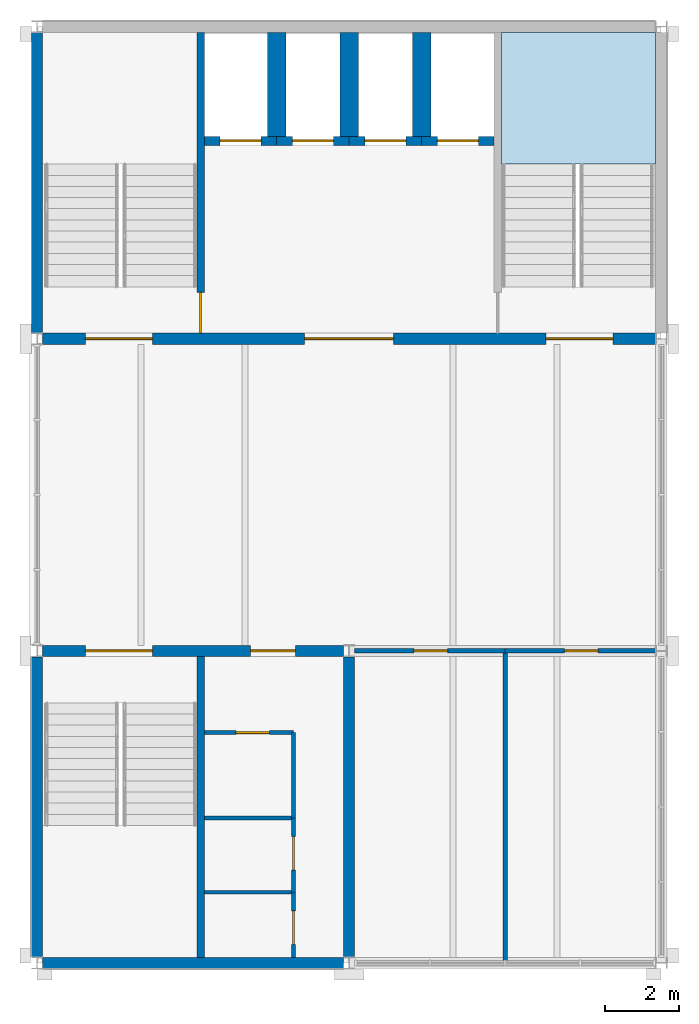
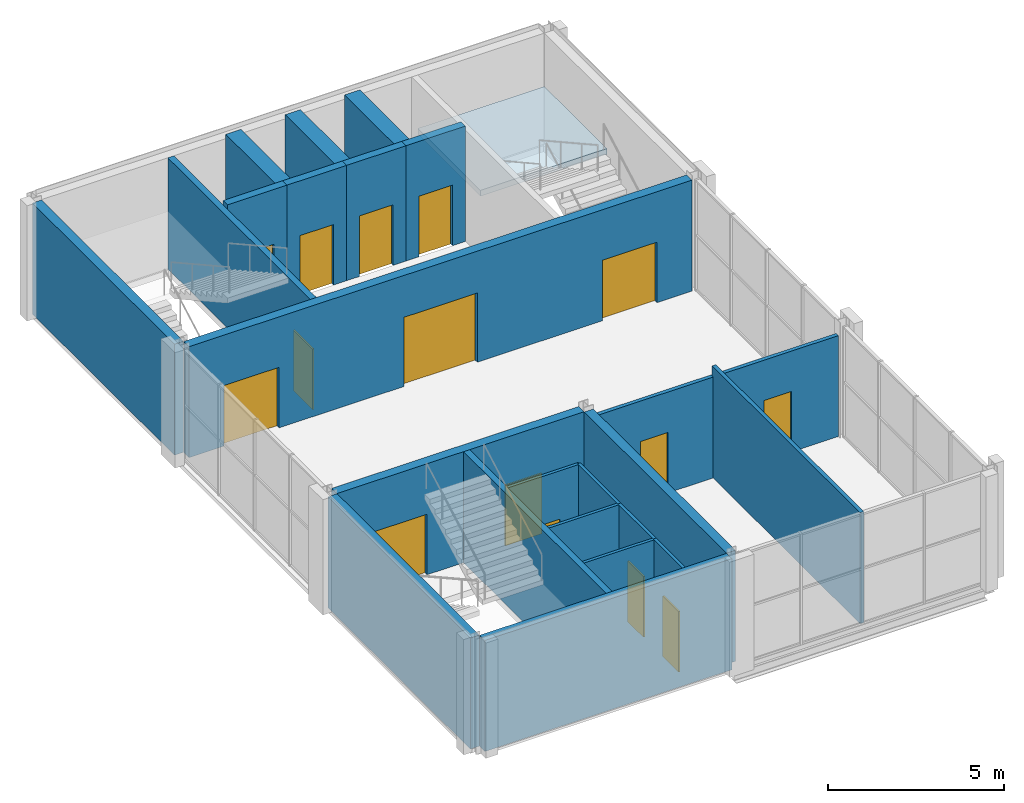
# One storey, part 3 of 5: 24 walls, 15 doors, 1 slab, 15 openings, 1 element without a shape of its own.
"""IFC4 building model written with IfcOpenShell, lengths in metres."""

from ifc_helpers import new_model, si_unit, direction, frame, frame_2d, origin, place, context, subcontext, project, spatial, polyline, rectangle, outline, extrude, material, layer, layer_set, type_object, element, fill, aggregate, save


model = new_model("IFC4")

# Units and contexts
model_context = context("Model", 3, precision=1e-05, world=origin(), true_north=direction((0.0, 1.0)))
body_context = subcontext(model_context, "Body", "Model", "MODEL_VIEW")
ifc_project = project(units=[si_unit("LENGTHUNIT", "METRE"), si_unit("AREAUNIT", "SQUARE_METRE"), si_unit("VOLUMEUNIT", "CUBIC_METRE"), si_unit("PLANEANGLEUNIT", "RADIAN"), si_unit("MASSUNIT", "GRAM", prefix="KILO")], contexts=[model_context])

# Site, building, storey
site_placement = place(None, origin())
site = spatial("IfcSite", under=ifc_project, at=site_placement, CompositionType="ELEMENT")
building_placement = place(site_placement, origin())
building = spatial("IfcBuilding", under=site, at=building_placement, Name="Galleria Vessillo Department Store", CompositionType="ELEMENT")
storey_placement = place(building_placement, frame((0.0, 0.0, 63.60009765625)))
storey = spatial("IfcBuildingStorey", under=building, at=storey_placement, Name="L14", CompositionType="ELEMENT", Elevation=63.60009765625)

# Stair, slab
ifc_material_1 = material(Name="Concrete C32/40", Category="concrete")
stair_type = type_object("IfcStairType", Name="Half-turn escape stair 2000 mm, 24 risers of 167 mm", PredefinedType="HALF_TURN_STAIR", material=ifc_material_1)
stair_placement = place(storey_placement, origin())
stair = element("IfcStair", 1, at=stair_placement, inside=storey, type_object=stair_type, Name="Stair ST9 L14", PredefinedType="HALF_TURN_STAIR")
ifc_material_2 = material(Name="Concrete C32/40", Category="concrete")
ifc_layer_1 = layer(ifc_material_2, 0.199951171875)
ifc_layer_set_1 = layer_set([ifc_layer_1], Name="Concrete C32/40")
slab_type = type_object("IfcSlabType", Name="Stair half landing 4150 x 3550 mm", PredefinedType="LANDING", material=ifc_layer_set_1)
slab_placement = place(storey_placement, frame((0.0, 0.0, 1.800048828125)))
slab = element("IfcSlab", 2, at=slab_placement, type_object=slab_type, Name="ST9 landing 1", PredefinedType="LANDING", context=body_context, shape_type="SweptSolid", body=[
    extrude(outline(polyline([(113.300048828125, 59.300048828125), (113.300048828125, 62.85009765625), (117.4501953125, 62.85009765625), (117.4501953125, 59.300048828125), (113.300048828125, 59.300048828125)])), origin(), (0.0, 0.0, 1.0), 0.199951171875),
])
aggregate(stair, [slab])

# Walls
ifc_material_3 = material(Name="Solid clay block masonry", Category="masonry")
ifc_layer_2 = layer(ifc_material_3, 0.5)
ifc_layer_set_2 = layer_set([ifc_layer_2], Name="Solid clay block masonry")
wall_type_1 = type_object("IfcWallType", Name="Lift shaft partition wall 500 mm", PredefinedType="SOLIDWALL", material=ifc_layer_set_2)
for number, where, z_axis, x_axis, name in (
    (3, (107.25, 62.85009765625, 0.0), (0.0, 0.0, 1.0), (0.0, -1.0, 0.0), "Lift shaft partition wall T1 L14"),
    (4, (109.199951171875, 62.85009765625, 0.0), (0.0, 0.0, 1.0), (0.0, -1.0, 0.0), "Lift shaft partition wall T2 L14"),
    (5, (111.14990234375, 62.85009765625, 0.0), (0.0, 0.0, 1.0), (0.0, -1.0, 0.0), "Lift shaft partition wall T3 L14"),
):
    element("IfcWall", number, at=place(storey_placement, frame(where, z_axis=z_axis, x_axis=x_axis)), inside=storey, type_object=wall_type_1, Name=name, PredefinedType="SOLIDWALL", context=body_context, shape_type="SweptSolid", body=[
        extrude(rectangle(XDim=2.800048828125, YDim=0.5, at=frame_2d((1.39990234375, 0.0))), origin(), (0.0, 0.0, 1.0), 4.0),
    ])

# Wall, opening, door
ifc_material_4 = material(Name="Solid clay block masonry", Category="masonry")
ifc_layer_3 = layer(ifc_material_4, 0.25)
ifc_layer_set_3 = layer_set([ifc_layer_3], Name="Solid clay block masonry")
wall_type_2 = type_object("IfcWallType", Name="Lift shaft wall 250 mm", PredefinedType="SOLIDWALL", material=ifc_layer_set_3)
wall_1_placement = place(storey_placement, frame((105.300048828125, 59.925048828125, 0.0), z_axis=(0.0, 0.0, 1.0), x_axis=(1.0, 0.0, 0.0)))
wall_1 = element("IfcWall", 6, at=wall_1_placement, inside=storey, type_object=wall_type_2, Name="Lift shaft wall T1 landing side L14", PredefinedType="SOLIDWALL", context=body_context, shape_type="SweptSolid", body=[
    extrude(rectangle(XDim=1.949951171875, YDim=0.25, at=frame_2d((0.97509765625, 0.0))), origin(), (0.0, 0.0, 1.0), 4.0),
])
opening_1_placement = place(wall_1_placement, frame((0.4248046875, 0.0, 0.0)))
opening_1 = element("IfcOpeningElement", 7, at=opening_1_placement, cuts=wall_1, Name="Opening LD129", PredefinedType="OPENING", context=body_context, shape_type="SweptSolid", body=[
    extrude(rectangle(XDim=1.10009765625, YDim=2.10009765625, at=frame_2d((0.550048828125, 1.050048828125))), frame((0.0, 0.135009765625, 0.0), z_axis=(0.0, -1.0, 0.0), x_axis=(1.0, 0.0, 0.0)), (0.0, 0.0, 1.0), 0.27001953125),
])
ifc_material_5 = material(Name="Stainless steel lift door panel", Category="steel")
door_type_1 = type_object("IfcDoorType", Name="Lift landing door LD110 sliding 1100 x 2100", OperationType="SLIDING_TO_LEFT", PredefinedType="DOOR", material=ifc_material_5)
door_1_placement = place(opening_1_placement, frame((1.10009765625, 0.0, 0.0), z_axis=(0.0, 0.0, 1.0), x_axis=(-1.0, 0.0, 0.0)))
door_1 = element("IfcDoor", 8, at=door_1_placement, inside=storey, type_object=door_type_1, Name="Lift landing door T1 L14", OperationType="SLIDING_TO_RIGHT", OverallHeight=2.10009765625, OverallWidth=1.10009765625, PredefinedType="DOOR", context=body_context, shape_type="SweptSolid", body=[
    extrude(rectangle(XDim=1.10009765625, YDim=2.10009765625, at=frame_2d((0.550048828125, 1.050048828125))), frame((0.0, 0.02490234375, 0.0), z_axis=(0.0, -1.0, 0.0), x_axis=(1.0, 0.0, 0.0)), (0.0, 0.0, 1.0), 0.050048828125),
])
fill(opening_1, door_1)

wall_2_placement = place(storey_placement, frame((107.25, 59.925048828125, 0.0), z_axis=(0.0, 0.0, 1.0), x_axis=(1.0, 0.0, 0.0)))
wall_2 = element("IfcWall", 9, at=wall_2_placement, inside=storey, type_object=wall_type_2, Name="Lift shaft wall T2 landing side L14", PredefinedType="SOLIDWALL", context=body_context, shape_type="SweptSolid", body=[
    extrude(rectangle(XDim=1.949951171875, YDim=0.25, at=frame_2d((0.97509765625, 0.0))), origin(), (0.0, 0.0, 1.0), 4.0),
])
opening_2_placement = place(wall_2_placement, frame((0.425048828125, 0.0, 0.0)))
opening_2 = element("IfcOpeningElement", 10, at=opening_2_placement, cuts=wall_2, Name="Opening LD130", PredefinedType="OPENING", context=body_context, shape_type="SweptSolid", body=[
    extrude(rectangle(XDim=1.10009765625, YDim=2.10009765625, at=frame_2d((0.550048828125, 1.050048828125))), frame((0.0, 0.135009765625, 0.0), z_axis=(0.0, -1.0, 0.0), x_axis=(1.0, 0.0, 0.0)), (0.0, 0.0, 1.0), 0.27001953125),
])
door_2_placement = place(opening_2_placement, frame((1.10009765625, 0.0, 0.0), z_axis=(0.0, 0.0, 1.0), x_axis=(-1.0, 0.0, 0.0)))
door_2 = element("IfcDoor", 11, at=door_2_placement, inside=storey, type_object=door_type_1, Name="Lift landing door T2 L14", OperationType="SLIDING_TO_RIGHT", OverallHeight=2.10009765625, OverallWidth=1.10009765625, PredefinedType="DOOR", context=body_context, shape_type="SweptSolid", body=[
    extrude(rectangle(XDim=1.10009765625, YDim=2.10009765625, at=frame_2d((0.550048828125, 1.050048828125))), frame((0.0, 0.02490234375, 0.0), z_axis=(0.0, -1.0, 0.0), x_axis=(1.0, 0.0, 0.0)), (0.0, 0.0, 1.0), 0.050048828125),
])
fill(opening_2, door_2)

wall_3_placement = place(storey_placement, frame((109.199951171875, 59.925048828125, 0.0), z_axis=(0.0, 0.0, 1.0), x_axis=(1.0, 0.0, 0.0)))
wall_3 = element("IfcWall", 12, at=wall_3_placement, inside=storey, type_object=wall_type_2, Name="Lift shaft wall T3 landing side L14", PredefinedType="SOLIDWALL", context=body_context, shape_type="SweptSolid", body=[
    extrude(rectangle(XDim=1.949951171875, YDim=0.25, at=frame_2d((0.97509765625, 0.0))), origin(), (0.0, 0.0, 1.0), 4.0),
])
opening_3_placement = place(wall_3_placement, frame((0.425048828125, 0.0, 0.0)))
opening_3 = element("IfcOpeningElement", 13, at=opening_3_placement, cuts=wall_3, Name="Opening LD131", PredefinedType="OPENING", context=body_context, shape_type="SweptSolid", body=[
    extrude(rectangle(XDim=1.10009765625, YDim=2.10009765625, at=frame_2d((0.550048828125, 1.050048828125))), frame((0.0, 0.135009765625, 0.0), z_axis=(0.0, -1.0, 0.0), x_axis=(1.0, 0.0, 0.0)), (0.0, 0.0, 1.0), 0.27001953125),
])
door_3_placement = place(opening_3_placement, frame((1.10009765625, 0.0, 0.0), z_axis=(0.0, 0.0, 1.0), x_axis=(-1.0, 0.0, 0.0)))
door_3 = element("IfcDoor", 14, at=door_3_placement, inside=storey, type_object=door_type_1, Name="Lift landing door T3 L14", OperationType="SLIDING_TO_RIGHT", OverallHeight=2.10009765625, OverallWidth=1.10009765625, PredefinedType="DOOR", context=body_context, shape_type="SweptSolid", body=[
    extrude(rectangle(XDim=1.10009765625, YDim=2.10009765625, at=frame_2d((0.550048828125, 1.050048828125))), frame((0.0, 0.02490234375, 0.0), z_axis=(0.0, -1.0, 0.0), x_axis=(1.0, 0.0, 0.0)), (0.0, 0.0, 1.0), 0.050048828125),
])
fill(opening_3, door_3)

wall_4_placement = place(storey_placement, frame((111.14990234375, 59.925048828125, 0.0), z_axis=(0.0, 0.0, 1.0), x_axis=(1.0, 0.0, 0.0)))
wall_4 = element("IfcWall", 15, at=wall_4_placement, inside=storey, type_object=wall_type_2, Name="Lift shaft wall T4 landing side L14", PredefinedType="SOLIDWALL", context=body_context, shape_type="SweptSolid", body=[
    extrude(rectangle(XDim=1.9501953125, YDim=0.25, at=frame_2d((0.97509765625, 0.0))), origin(), (0.0, 0.0, 1.0), 4.0),
])
opening_4_placement = place(wall_4_placement, frame((0.425048828125, 0.0, 0.0)))
opening_4 = element("IfcOpeningElement", 16, at=opening_4_placement, cuts=wall_4, Name="Opening LD132", PredefinedType="OPENING", context=body_context, shape_type="SweptSolid", body=[
    extrude(rectangle(XDim=1.10009765625, YDim=2.10009765625, at=frame_2d((0.550048828125, 1.050048828125))), frame((0.0, 0.135009765625, 0.0), z_axis=(0.0, -1.0, 0.0), x_axis=(1.0, 0.0, 0.0)), (0.0, 0.0, 1.0), 0.27001953125),
])
door_4_placement = place(opening_4_placement, frame((1.10009765625, 0.0, 0.0), z_axis=(0.0, 0.0, 1.0), x_axis=(-1.0, 0.0, 0.0)))
door_4 = element("IfcDoor", 17, at=door_4_placement, inside=storey, type_object=door_type_1, Name="Lift landing door T4 L14", OperationType="SLIDING_TO_LEFT", OverallHeight=2.10009765625, OverallWidth=1.10009765625, PredefinedType="DOOR", context=body_context, shape_type="SweptSolid", body=[
    extrude(rectangle(XDim=1.10009765625, YDim=2.10009765625, at=frame_2d((0.550048828125, 1.050048828125))), frame((0.0, 0.02490234375, 0.0), z_axis=(0.0, -1.0, 0.0), x_axis=(1.0, 0.0, 0.0)), (0.0, 0.0, 1.0), 0.050048828125),
])
fill(opening_4, door_4)

# Wall
ifc_material_6 = material(Name="Gypsum board partition")
ifc_layer_4 = layer(ifc_material_6, 0.125)
ifc_layer_set_4 = layer_set([ifc_layer_4], Name="Gypsum board partition")
wall_type_3 = type_object("IfcWallType", Name="Office partition 125 mm", PredefinedType="PARTITIONING", material=ifc_layer_set_4)
wall_5_placement = place(storey_placement, frame((113.39990234375, 37.800048828125, 0.0), z_axis=(0.0, 0.0, 1.0), x_axis=(0.0, 1.0, 0.0)))
element("IfcWall", 18, at=wall_5_placement, inside=storey, type_object=wall_type_3, Name="Partition wall PT2 on L14 no. 007", PredefinedType="PARTITIONING", context=body_context, shape_type="SweptSolid", body=[
    extrude(rectangle(XDim=8.39990234375, YDim=0.125, at=frame_2d((4.199951171875, 0.0))), origin(), (0.0, 0.0, 1.0), 3.85009765625),
])

# Wall, opening, door
wall_6_placement = place(storey_placement, frame((109.349853515625, 46.199951171875, 0.0), z_axis=(0.0, 0.0, 1.0), x_axis=(1.0, 0.0, 0.0)))
wall_6 = element("IfcWall", 19, at=wall_6_placement, inside=storey, type_object=wall_type_3, Name="Partition wall PT2 on L14 no. 008", PredefinedType="PARTITIONING", context=body_context, shape_type="SweptSolid", body=[
    extrude(rectangle(XDim=4.050048828125, YDim=0.125, at=frame_2d((2.02490234375, 0.0))), origin(), (0.0, 0.0, 1.0), 3.5),
])
opening_5_placement = place(wall_6_placement, frame((1.60009765625, 0.0, 0.0)))
opening_5 = element("IfcOpeningElement", 20, at=opening_5_placement, cuts=wall_6, Name="Opening D3604", PredefinedType="OPENING", context=body_context, shape_type="SweptSolid", body=[
    extrude(rectangle(XDim=0.89990234375, YDim=2.10009765625, at=frame_2d((0.449951171875, 1.050048828125))), frame((0.0, 0.072509765625, 0.0), z_axis=(0.0, -1.0, 0.0), x_axis=(1.0, 0.0, 0.0)), (0.0, 0.0, 1.0), 0.14501953125),
])
ifc_material_7 = material(Name="Timber and glass door leaf", Category="wood")
door_type_2 = type_object("IfcDoorType", Name="Floor door 900 single leaf", OperationType="SINGLE_SWING_LEFT", PredefinedType="DOOR", material=ifc_material_7)
door_5_placement = place(opening_5_placement, frame((0.89990234375, 0.0, 0.0), z_axis=(0.0, 0.0, 1.0), x_axis=(-1.0, 0.0, 0.0)))
door_5 = element("IfcDoor", 21, at=door_5_placement, inside=storey, type_object=door_type_2, Name="Door D3604", OperationType="SINGLE_SWING_RIGHT", OverallHeight=2.10009765625, OverallWidth=0.89990234375, PredefinedType="DOOR", context=body_context, shape_type="SweptSolid", body=[
    extrude(rectangle(XDim=0.89990234375, YDim=2.10009765625, at=frame_2d((0.449951171875, 1.050048828125))), frame((0.0, 0.02490234375, 0.0), z_axis=(0.0, -1.0, 0.0), x_axis=(1.0, 0.0, 0.0)), (0.0, 0.0, 1.0), 0.050048828125),
])
fill(opening_5, door_5)

wall_7_placement = place(storey_placement, frame((113.39990234375, 46.199951171875, 0.0), z_axis=(0.0, 0.0, 1.0), x_axis=(1.0, 0.0, 0.0)))
wall_7 = element("IfcWall", 22, at=wall_7_placement, inside=storey, type_object=wall_type_3, Name="Partition wall PT2 on L14 no. 009", PredefinedType="PARTITIONING", context=body_context, shape_type="SweptSolid", body=[
    extrude(rectangle(XDim=4.040283203125, YDim=0.125, at=frame_2d((2.02001953125, 0.0))), origin(), (0.0, 0.0, 1.0), 3.5),
])
opening_6_placement = place(wall_7_placement, frame((1.60009765625, 0.0, 0.0)))
opening_6 = element("IfcOpeningElement", 23, at=opening_6_placement, cuts=wall_7, Name="Opening D3605", PredefinedType="OPENING", context=body_context, shape_type="SweptSolid", body=[
    extrude(rectangle(XDim=0.89990234375, YDim=2.10009765625, at=frame_2d((0.449951171875, 1.050048828125))), frame((0.0, 0.072509765625, 0.0), z_axis=(0.0, -1.0, 0.0), x_axis=(1.0, 0.0, 0.0)), (0.0, 0.0, 1.0), 0.14501953125),
])
door_6_placement = place(opening_6_placement, frame((0.89990234375, 0.0, 0.0), z_axis=(0.0, 0.0, 1.0), x_axis=(-1.0, 0.0, 0.0)))
door_6 = element("IfcDoor", 24, at=door_6_placement, inside=storey, type_object=door_type_2, Name="Door D3605", OperationType="SINGLE_SWING_RIGHT", OverallHeight=2.10009765625, OverallWidth=0.89990234375, PredefinedType="DOOR", context=body_context, shape_type="SweptSolid", body=[
    extrude(rectangle(XDim=0.89990234375, YDim=2.10009765625, at=frame_2d((0.449951171875, 1.050048828125))), frame((0.0, 0.02490234375, 0.0), z_axis=(0.0, -1.0, 0.0), x_axis=(1.0, 0.0, 0.0)), (0.0, 0.0, 1.0), 0.050048828125),
])
fill(opening_6, door_6)

# Wall, openings, doors
ifc_material_8 = material(Name="Concrete C32/40 reinforced", Category="concrete")
ifc_layer_5 = layer(ifc_material_8, 0.300048828125)
ifc_layer_set_5 = layer_set([ifc_layer_5], Name="Concrete C32/40 reinforced")
wall_type_4 = type_object("IfcWallType", Name="Reinforced concrete core wall 300 mm", PredefinedType="SHEAR", material=ifc_layer_set_5)
wall_8_placement = place(storey_placement, frame((100.949951171875, 54.60009765625, 0.0), z_axis=(0.0, 0.0, 1.0), x_axis=(1.0, 0.0, 0.0)))
wall_8 = element("IfcWall", 25, at=wall_8_placement, inside=storey, type_object=wall_type_4, Name="S-CW-TC-INTERIOR-L14", PredefinedType="SHEAR", context=body_context, shape_type="SweptSolid", body=[
    extrude(rectangle(XDim=16.490234375, YDim=0.300048828125, at=frame_2d((8.2451171875, 0.0))), origin(), (0.0, 0.0, 1.0), 3.85009765625),
])
opening_7_placement = place(wall_8_placement, frame((1.14990234375, 0.0, 0.0)))
opening_7 = element("IfcOpeningElement", 26, at=opening_7_placement, cuts=wall_8, Name="Opening D5312", PredefinedType="OPENING", context=body_context, shape_type="SweptSolid", body=[
    extrude(rectangle(XDim=1.800048828125, YDim=2.10009765625, at=frame_2d((0.89990234375, 1.050048828125))), frame((0.0, 0.16015625, 0.0), z_axis=(0.0, -1.0, 0.0), x_axis=(1.0, 0.0, 0.0)), (0.0, 0.0, 1.0), 0.320068359375),
])
opening_8_placement = place(wall_8_placement, frame((13.5498046875, 0.0, 0.0)))
opening_8 = element("IfcOpeningElement", 27, at=opening_8_placement, cuts=wall_8, Name="Opening D5313", PredefinedType="OPENING", context=body_context, shape_type="SweptSolid", body=[
    extrude(rectangle(XDim=1.800048828125, YDim=2.10009765625, at=frame_2d((0.89990234375, 1.050048828125))), frame((0.0, 0.16015625, 0.0), z_axis=(0.0, -1.0, 0.0), x_axis=(1.0, 0.0, 0.0)), (0.0, 0.0, 1.0), 0.320068359375),
])
opening_9_placement = place(wall_8_placement, frame((7.0498046875, 0.0, 0.0)))
opening_9 = element("IfcOpeningElement", 28, at=opening_9_placement, cuts=wall_8, Name="Opening D5314", PredefinedType="OPENING", context=body_context, shape_type="SweptSolid", body=[
    extrude(rectangle(XDim=2.39990234375, YDim=2.39990234375, at=frame_2d((1.199951171875, 1.199951171875))), frame((0.0, 0.16015625, 0.0), z_axis=(0.0, -1.0, 0.0), x_axis=(1.0, 0.0, 0.0)), (0.0, 0.0, 1.0), 0.320068359375),
])
ifc_material_9 = material(Name="Fire-rated steel door leaf", Category="steel")
door_type_3 = type_object("IfcDoorType", Name="Door D180F double leaf 1800 x 2100", OperationType="DOUBLE_DOOR_SINGLE_SWING", PredefinedType="DOOR", material=ifc_material_9)
door_7_placement = place(opening_7_placement, origin())
door_7 = element("IfcDoor", 29, at=door_7_placement, inside=storey, type_object=door_type_3, Name="Lobby door TC-ST8-FLOOR L14", OperationType="DOUBLE_DOOR_SINGLE_SWING", OverallHeight=2.10009765625, OverallWidth=1.800048828125, PredefinedType="DOOR", context=body_context, shape_type="SweptSolid", body=[
    extrude(rectangle(XDim=1.800048828125, YDim=2.10009765625, at=frame_2d((0.89990234375, 1.050048828125))), frame((0.0, 0.02490234375, 0.0), z_axis=(0.0, -1.0, 0.0), x_axis=(1.0, 0.0, 0.0)), (0.0, 0.0, 1.0), 0.050048828125),
])
fill(opening_7, door_7)
door_8_placement = place(opening_8_placement, origin())
door_8 = element("IfcDoor", 30, at=door_8_placement, inside=storey, type_object=door_type_3, Name="Lobby door TC-ST9-FLOOR L14", OperationType="DOUBLE_DOOR_SINGLE_SWING", OverallHeight=2.10009765625, OverallWidth=1.800048828125, PredefinedType="DOOR", context=body_context, shape_type="SweptSolid", body=[
    extrude(rectangle(XDim=1.800048828125, YDim=2.10009765625, at=frame_2d((0.89990234375, 1.050048828125))), frame((0.0, 0.02490234375, 0.0), z_axis=(0.0, -1.0, 0.0), x_axis=(1.0, 0.0, 0.0)), (0.0, 0.0, 1.0), 0.050048828125),
])
fill(opening_8, door_8)
ifc_material_10 = material(Name="Fire-rated steel door leaf", Category="steel")
door_type_4 = type_object("IfcDoorType", Name="Door D240F double leaf 2400 x 2400", OperationType="DOUBLE_DOOR_SINGLE_SWING", PredefinedType="DOOR", material=ifc_material_10)
door_9_placement = place(opening_9_placement, frame((2.39990234375, 0.0, 0.0), z_axis=(0.0, 0.0, 1.0), x_axis=(-1.0, 0.0, 0.0)))
door_9 = element("IfcDoor", 31, at=door_9_placement, inside=storey, type_object=door_type_4, Name="Lobby door TC-LOBBY-FLOOR L14", OperationType="DOUBLE_DOOR_SINGLE_SWING", OverallHeight=2.39990234375, OverallWidth=2.39990234375, PredefinedType="DOOR", context=body_context, shape_type="SweptSolid", body=[
    extrude(rectangle(XDim=2.39990234375, YDim=2.39990234375, at=frame_2d((1.199951171875, 1.199951171875))), frame((0.0, 0.02490234375, 0.0), z_axis=(0.0, -1.0, 0.0), x_axis=(1.0, 0.0, 0.0)), (0.0, 0.0, 1.0), 0.050048828125),
])
fill(opening_9, door_9)

# Wall
wall_9_placement = place(storey_placement, frame((100.800048828125, 54.760009765625, 0.0), z_axis=(0.0, 0.0, 1.0), x_axis=(0.0, 1.0, 0.0)))
element("IfcWall", 32, at=wall_9_placement, inside=storey, type_object=wall_type_4, Name="S-CW-TC-WEST-L14", PredefinedType="SHEAR", context=body_context, shape_type="SweptSolid", body=[
    extrude(rectangle(XDim=8.080078125, YDim=0.300048828125, at=frame_2d((4.0400390625, 0.0))), origin(), (0.0, 0.0, 1.0), 3.85009765625),
])

# Wall, openings, doors
wall_10_placement = place(storey_placement, frame((100.949951171875, 46.199951171875, 0.0), z_axis=(0.0, 0.0, 1.0), x_axis=(1.0, 0.0, 0.0)))
wall_10 = element("IfcWall", 33, at=wall_10_placement, inside=storey, type_object=wall_type_4, Name="S-CW-TS-INTERIOR-L14", PredefinedType="SHEAR", context=body_context, shape_type="SweptSolid", body=[
    extrude(rectangle(XDim=8.10009765625, YDim=0.300048828125, at=frame_2d((4.050048828125, 0.0))), origin(), (0.0, 0.0, 1.0), 3.85009765625),
])
opening_10_placement = place(wall_10_placement, frame((1.14990234375, 0.0, 0.0)))
opening_10 = element("IfcOpeningElement", 34, at=opening_10_placement, cuts=wall_10, Name="Opening D5337", PredefinedType="OPENING", context=body_context, shape_type="SweptSolid", body=[
    extrude(rectangle(XDim=1.800048828125, YDim=2.10009765625, at=frame_2d((0.89990234375, 1.050048828125))), frame((0.0, 0.16015625, 0.0), z_axis=(0.0, -1.0, 0.0), x_axis=(1.0, 0.0, 0.0)), (0.0, 0.0, 1.0), 0.320068359375),
])
opening_11_placement = place(wall_10_placement, frame((5.599853515625, 0.0, 0.0)))
opening_11 = element("IfcOpeningElement", 35, at=opening_11_placement, cuts=wall_10, Name="Opening D5338", PredefinedType="OPENING", context=body_context, shape_type="SweptSolid", body=[
    extrude(rectangle(XDim=1.199951171875, YDim=2.10009765625, at=frame_2d((0.60009765625, 1.050048828125))), frame((0.0, 0.16015625, 0.0), z_axis=(0.0, -1.0, 0.0), x_axis=(1.0, 0.0, 0.0)), (0.0, 0.0, 1.0), 0.320068359375),
])
ifc_material_11 = material(Name="Fire-rated steel door leaf", Category="steel")
door_type_5 = type_object("IfcDoorType", Name="Door D120F fire door 1200 x 2100", OperationType="SINGLE_SWING_LEFT", PredefinedType="DOOR", material=ifc_material_11)
door_10_placement = place(opening_11_placement, frame((1.199951171875, 0.0, 0.0), z_axis=(0.0, 0.0, 1.0), x_axis=(-1.0, 0.0, 0.0)))
door_10 = element("IfcDoor", 36, at=door_10_placement, inside=storey, type_object=door_type_5, Name="Lobby door TS-WC-FLOOR L14", OperationType="SINGLE_SWING_LEFT", OverallHeight=2.10009765625, OverallWidth=1.199951171875, PredefinedType="DOOR", context=body_context, shape_type="SweptSolid", body=[
    extrude(rectangle(XDim=1.199951171875, YDim=2.10009765625, at=frame_2d((0.60009765625, 1.050048828125))), frame((0.0, 0.02490234375, 0.0), z_axis=(0.0, -1.0, 0.0), x_axis=(1.0, 0.0, 0.0)), (0.0, 0.0, 1.0), 0.050048828125),
])
fill(opening_11, door_10)
door_11_placement = place(opening_10_placement, frame((1.800048828125, 0.0, 0.0), z_axis=(0.0, 0.0, 1.0), x_axis=(-1.0, 0.0, 0.0)))
door_11 = element("IfcDoor", 37, at=door_11_placement, inside=storey, type_object=door_type_3, Name="Lobby door TS-ST12-FLOOR L14", OperationType="DOUBLE_DOOR_SINGLE_SWING", OverallHeight=2.10009765625, OverallWidth=1.800048828125, PredefinedType="DOOR", context=body_context, shape_type="SweptSolid", body=[
    extrude(rectangle(XDim=1.800048828125, YDim=2.10009765625, at=frame_2d((0.89990234375, 1.050048828125))), frame((0.0, 0.02490234375, 0.0), z_axis=(0.0, -1.0, 0.0), x_axis=(1.0, 0.0, 0.0)), (0.0, 0.0, 1.0), 0.050048828125),
])
fill(opening_10, door_11)

# Walls
wall_11_placement = place(storey_placement, frame((109.199951171875, 37.9599609375, 0.0), z_axis=(0.0, 0.0, 1.0), x_axis=(0.0, 1.0, 0.0)))
element("IfcWall", 38, at=wall_11_placement, inside=storey, type_object=wall_type_4, Name="S-CW-TS-EAST-L14", PredefinedType="SHEAR", context=body_context, shape_type="SweptSolid", body=[
    extrude(rectangle(XDim=8.080078125, YDim=0.300048828125, at=frame_2d((4.0400390625, 0.0))), origin(), (0.0, 0.0, 1.0), 3.85009765625),
])
ifc_material_12 = material(Name="Concrete C32/40 reinforced", Category="concrete")
ifc_layer_6 = layer(ifc_material_12, 0.300048828125)
ifc_layer_set_6 = layer_set([ifc_layer_6], Name="Concrete C32/40 reinforced")
wall_type_5 = type_object("IfcWallType", Name="Reinforced concrete core wall 300 mm, external", PredefinedType="SHEAR", material=ifc_layer_set_6)
wall_12_placement = place(storey_placement, frame((100.949951171875, 37.800048828125, 0.0), z_axis=(0.0, 0.0, 1.0), x_axis=(1.0, 0.0, 0.0)))
element("IfcWall", 39, at=wall_12_placement, inside=storey, type_object=wall_type_5, Name="S-CW-TS-PARTY-L14", PredefinedType="SHEAR", context=body_context, shape_type="SweptSolid", body=[
    extrude(rectangle(XDim=8.10009765625, YDim=0.300048828125, at=frame_2d((4.050048828125, 0.0))), origin(), (0.0, 0.0, 1.0), 3.85009765625),
])
wall_13_placement = place(storey_placement, frame((100.800048828125, 37.9599609375, 0.0), z_axis=(0.0, 0.0, 1.0), x_axis=(0.0, 1.0, 0.0)))
element("IfcWall", 40, at=wall_13_placement, inside=storey, type_object=wall_type_5, Name="S-CW-TS-WEST-L14", PredefinedType="SHEAR", context=body_context, shape_type="SweptSolid", body=[
    extrude(rectangle(XDim=8.080078125, YDim=0.300048828125, at=frame_2d((4.0400390625, 0.0))), origin(), (0.0, 0.0, 1.0), 3.85009765625),
])

# Wall, opening, door
ifc_material_13 = material(Name="Concrete C32/40 reinforced", Category="concrete")
ifc_layer_7 = layer(ifc_material_13, 0.199951171875)
ifc_layer_set_7 = layer_set([ifc_layer_7], Name="Concrete C32/40 reinforced")
wall_type_6 = type_object("IfcWallType", Name="Reinforced concrete stair enclosure wall 200 mm", PredefinedType="SHEAR", material=ifc_layer_set_7)
wall_14_placement = place(storey_placement, frame((105.199951171875, 62.85009765625, 0.0), z_axis=(0.0, 0.0, 1.0), x_axis=(0.0, -1.0, 0.0)))
wall_14 = element("IfcWall", 41, at=wall_14_placement, inside=storey, type_object=wall_type_6, Name="Stair enclosure wall TC L14", PredefinedType="SHEAR", context=body_context, shape_type="SweptSolid", body=[
    extrude(rectangle(XDim=8.10009765625, YDim=0.199951171875, at=frame_2d((4.050048828125, 0.0))), origin(), (0.0, 0.0, 1.0), 3.849853515625),
])
opening_12_placement = place(wall_14_placement, frame((7.0, 0.0, 0.0)))
opening_12 = element("IfcOpeningElement", 42, at=opening_12_placement, cuts=wall_14, Name="Opening D5310", PredefinedType="OPENING", context=body_context, shape_type="SweptSolid", body=[
    extrude(rectangle(XDim=1.11009765625, YDim=2.10009765625, at=frame_2d((0.554931640625, 1.050048828125))), frame((0.0, 0.10986328125, 0.0), z_axis=(0.0, -1.0, 0.0), x_axis=(1.0, 0.0, 0.0)), (0.0, 0.0, 1.0), 0.219970703125),
])
ifc_material_14 = material(Name="Fire-rated steel door leaf", Category="steel")
door_type_6 = type_object("IfcDoorType", Name="Door D110F stair door 1100 x 2100", OperationType="SINGLE_SWING_LEFT", PredefinedType="DOOR", material=ifc_material_14)
door_12_placement = place(opening_12_placement, frame((1.10009765625, 0.0, 0.0), z_axis=(0.0, 0.0, 1.0), x_axis=(-1.0, 0.0, 0.0)))
door_12 = element("IfcDoor", 43, at=door_12_placement, inside=storey, type_object=door_type_6, Name="Stair door TC-ST8-LOBBY L14", OperationType="SINGLE_SWING_LEFT", OverallHeight=2.10009765625, OverallWidth=1.10009765625, PredefinedType="DOOR", context=body_context, shape_type="SweptSolid", body=[
    extrude(rectangle(XDim=1.10009765625, YDim=2.10009765625, at=frame_2d((0.550048828125, 1.050048828125))), frame((0.0, 0.02490234375, 0.0), z_axis=(0.0, -1.0, 0.0), x_axis=(1.0, 0.0, 0.0)), (0.0, 0.0, 1.0), 0.050048828125),
])
fill(opening_12, door_12)

# Wall
wall_15_placement = place(storey_placement, frame((105.199951171875, 37.949951171875, 0.0), z_axis=(0.0, 0.0, 1.0), x_axis=(0.0, 1.0, 0.0)))
element("IfcWall", 44, at=wall_15_placement, inside=storey, type_object=wall_type_6, Name="Stair enclosure wall TS L14", PredefinedType="SHEAR", context=body_context, shape_type="SweptSolid", body=[
    extrude(rectangle(XDim=8.10009765625, YDim=0.199951171875, at=frame_2d((4.050048828125, 0.0))), origin(), (0.0, 0.0, 1.0), 3.849853515625),
])

# Wall, opening, door
ifc_material_15 = material(Name="Moisture-resistant board partition")
ifc_layer_8 = layer(ifc_material_15, 0.10009765625)
ifc_layer_set_8 = layer_set([ifc_layer_8], Name="Moisture-resistant board partition")
wall_type_7 = type_object("IfcWallType", Name="WC and cubicle partition 100 mm", PredefinedType="PARTITIONING", material=ifc_layer_set_8)
wall_16_placement = place(storey_placement, frame((105.300048828125, 44.0, 0.0), z_axis=(0.0, 0.0, 1.0), x_axis=(1.0, 0.0, 0.0)))
wall_16 = element("IfcWall", 45, at=wall_16_placement, inside=storey, type_object=wall_type_7, Name="Partition wall PT1 on L14 no. 001", PredefinedType="PARTITIONING", context=body_context, shape_type="SweptSolid", body=[
    extrude(rectangle(XDim=2.39990234375, YDim=0.10009765625, at=frame_2d((1.199951171875, 0.0))), origin(), (0.0, 0.0, 1.0), 3.780029296875),
])
opening_13_placement = place(wall_16_placement, frame((0.85009765625, 0.0, 0.0)))
opening_13 = element("IfcOpeningElement", 46, at=opening_13_placement, cuts=wall_16, Name="Opening D3601", PredefinedType="OPENING", context=body_context, shape_type="SweptSolid", body=[
    extrude(rectangle(XDim=0.89990234375, YDim=2.10009765625, at=frame_2d((0.449951171875, 1.050048828125))), frame((0.0, 0.06005859375, 0.0), z_axis=(0.0, -1.0, 0.0), x_axis=(1.0, 0.0, 0.0)), (0.0, 0.0, 1.0), 0.1201171875),
])
door_13_placement = place(opening_13_placement, origin())
door_13 = element("IfcDoor", 47, at=door_13_placement, inside=storey, type_object=door_type_2, Name="Door D3601", OperationType="SINGLE_SWING_LEFT", OverallHeight=2.10009765625, OverallWidth=0.89990234375, PredefinedType="DOOR", context=body_context, shape_type="SweptSolid", body=[
    extrude(rectangle(XDim=0.89990234375, YDim=2.10009765625, at=frame_2d((0.449951171875, 1.050048828125))), frame((0.0, 0.02490234375, 0.0), z_axis=(0.0, -1.0, 0.0), x_axis=(1.0, 0.0, 0.0)), (0.0, 0.0, 1.0), 0.050048828125),
])
fill(opening_13, door_13)

# Wall
wall_17_placement = place(storey_placement, frame((107.699951171875, 41.699951171875, 0.0), z_axis=(0.0, 0.0, 1.0), x_axis=(0.0, 1.0, 0.0)))
element("IfcWall", 48, at=wall_17_placement, inside=storey, type_object=wall_type_7, Name="Partition wall PT1 on L14 no. 002", PredefinedType="PARTITIONING", context=body_context, shape_type="SweptSolid", body=[
    extrude(rectangle(XDim=2.300048828125, YDim=0.10009765625, at=frame_2d((1.14990234375, 0.0))), origin(), (0.0, 0.0, 1.0), 3.780029296875),
])

# Wall, opening, door
wall_18_placement = place(storey_placement, frame((107.699951171875, 39.699951171875, 0.0), z_axis=(0.0, 0.0, 1.0), x_axis=(0.0, 1.0, 0.0)))
wall_18 = element("IfcWall", 49, at=wall_18_placement, inside=storey, type_object=wall_type_7, Name="Partition wall PT1 on L14 no. 003", PredefinedType="PARTITIONING", context=body_context, shape_type="SweptSolid", body=[
    extrude(rectangle(XDim=2.0, YDim=0.10009765625, at=frame_2d((1.0, 0.0))), origin(), (0.0, 0.0, 1.0), 3.780029296875),
])
opening_14_placement = place(wall_18_placement, frame((0.60009765625, 0.0, 0.0)))
opening_14 = element("IfcOpeningElement", 50, at=opening_14_placement, cuts=wall_18, Name="Opening D3602", PredefinedType="OPENING", context=body_context, shape_type="SweptSolid", body=[
    extrude(rectangle(XDim=0.89990234375, YDim=2.10009765625, at=frame_2d((0.449951171875, 1.050048828125))), frame((0.0, 0.06005859375, 0.0), z_axis=(0.0, -1.0, 0.0), x_axis=(1.0, 0.0, 0.0)), (0.0, 0.0, 1.0), 0.1201171875),
])
door_14_placement = place(opening_14_placement, frame((0.89990234375, 0.0, 0.0), z_axis=(0.0, 0.0, 1.0), x_axis=(-1.0, 0.0, 0.0)))
door_14 = element("IfcDoor", 51, at=door_14_placement, inside=storey, type_object=door_type_2, Name="Door D3602", OperationType="SINGLE_SWING_RIGHT", OverallHeight=2.10009765625, OverallWidth=0.89990234375, PredefinedType="DOOR", context=body_context, shape_type="SweptSolid", body=[
    extrude(rectangle(XDim=0.89990234375, YDim=2.10009765625, at=frame_2d((0.449951171875, 1.050048828125))), frame((0.0, 0.02490234375, 0.0), z_axis=(0.0, -1.0, 0.0), x_axis=(1.0, 0.0, 0.0)), (0.0, 0.0, 1.0), 0.050048828125),
])
fill(opening_14, door_14)

wall_19_placement = place(storey_placement, frame((107.699951171875, 37.949951171875, 0.0), z_axis=(0.0, 0.0, 1.0), x_axis=(0.0, 1.0, 0.0)))
wall_19 = element("IfcWall", 52, at=wall_19_placement, inside=storey, type_object=wall_type_7, Name="Partition wall PT1 on L14 no. 004", PredefinedType="PARTITIONING", context=body_context, shape_type="SweptSolid", body=[
    extrude(rectangle(XDim=1.75, YDim=0.10009765625, at=frame_2d((0.875, 0.0))), origin(), (0.0, 0.0, 1.0), 3.780029296875),
])
opening_15_placement = place(wall_19_placement, frame((0.35009765625, 0.0, 0.0)))
opening_15 = element("IfcOpeningElement", 53, at=opening_15_placement, cuts=wall_19, Name="Opening D3603", PredefinedType="OPENING", context=body_context, shape_type="SweptSolid", body=[
    extrude(rectangle(XDim=0.89990234375, YDim=2.10009765625, at=frame_2d((0.449951171875, 1.050048828125))), frame((0.0, 0.06005859375, 0.0), z_axis=(0.0, -1.0, 0.0), x_axis=(1.0, 0.0, 0.0)), (0.0, 0.0, 1.0), 0.1201171875),
])
ifc_material_16 = material(Name="Timber and glass door leaf", Category="wood")
door_type_7 = type_object("IfcDoorType", Name="Accessible WC door 900 sliding", OperationType="SLIDING_TO_LEFT", PredefinedType="DOOR", material=ifc_material_16)
door_15_placement = place(opening_15_placement, origin())
door_15 = element("IfcDoor", 54, at=door_15_placement, inside=storey, type_object=door_type_7, Name="Door D3603", OperationType="SLIDING_TO_RIGHT", OverallHeight=2.10009765625, OverallWidth=0.89990234375, PredefinedType="DOOR", context=body_context, shape_type="SweptSolid", body=[
    extrude(rectangle(XDim=0.89990234375, YDim=2.10009765625, at=frame_2d((0.449951171875, 1.050048828125))), frame((0.0, 0.02490234375, 0.0), z_axis=(0.0, -1.0, 0.0), x_axis=(1.0, 0.0, 0.0)), (0.0, 0.0, 1.0), 0.050048828125),
])
fill(opening_15, door_15)

# Walls
for number, where, z_axis, x_axis, name in (
    (55, (105.300048828125, 41.699951171875, 0.0), (0.0, 0.0, 1.0), (1.0, 0.0, 0.0), "Partition wall PT1 on L14 no. 005"),
    (56, (105.300048828125, 39.699951171875, 0.0), (0.0, 0.0, 1.0), (1.0, 0.0, 0.0), "Partition wall PT1 on L14 no. 006"),
):
    element("IfcWall", number, at=place(storey_placement, frame(where, z_axis=z_axis, x_axis=x_axis)), inside=storey, type_object=wall_type_7, Name=name, PredefinedType="PARTITIONING", context=body_context, shape_type="SweptSolid", body=[
        extrude(rectangle(XDim=2.39990234375, YDim=0.10009765625, at=frame_2d((1.199951171875, 0.0))), origin(), (0.0, 0.0, 1.0), 3.780029296875),
    ])

save(model, "model.ifc")
